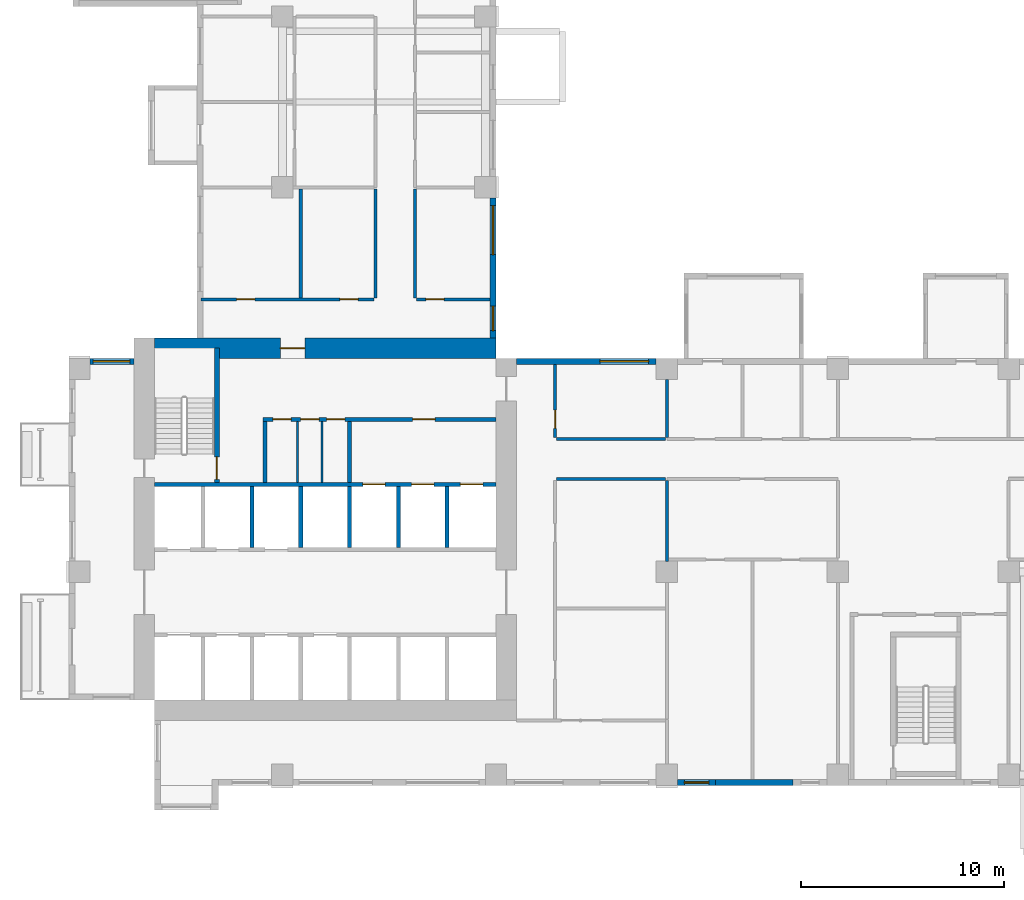
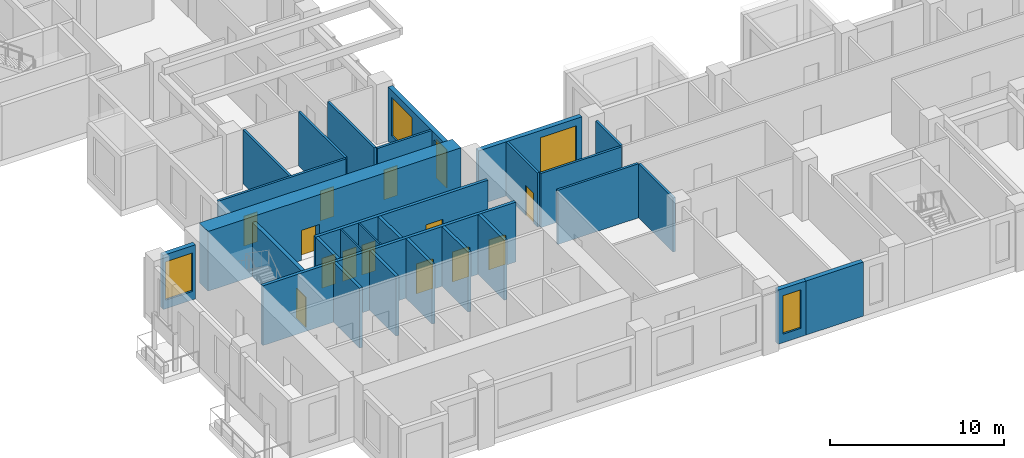
# One storey, part 3 of 14: 28 walls, 13 doors, 5 windows, 18 openings.
"""IFC4 building model written with IfcOpenShell, lengths in metres."""

from ifc_helpers import new_model, si_unit, direction, frame, frame_2d, origin, place, context, subcontext, project, spatial, rectangle, extrude, source, transform, mapped, material, layer, layer_set, type_object, element, fill, save


model = new_model("IFC4")

# Units and contexts
model_context = context("Model", 3, precision=1e-05, world=origin(), true_north=direction((0.0, 1.0)))
body_context = subcontext(model_context, "Body", "Model", "MODEL_VIEW")
ifc_project = project(units=[si_unit("LENGTHUNIT", "METRE"), si_unit("AREAUNIT", "SQUARE_METRE"), si_unit("VOLUMEUNIT", "CUBIC_METRE"), si_unit("PLANEANGLEUNIT", "RADIAN"), si_unit("MASSUNIT", "GRAM", prefix="KILO")], contexts=[model_context])

# Site, building, storey
site_placement = place(None, origin())
site = spatial("IfcSite", under=ifc_project, at=site_placement, CompositionType="ELEMENT")
building_placement = place(site_placement, origin())
building = spatial("IfcBuilding", under=site, at=building_placement, Name="Aurelian Terraces", CompositionType="ELEMENT")
storey_placement = place(building_placement, frame((0.0, 0.0, 141.3)))
storey = spatial("IfcBuildingStorey", under=building, at=storey_placement, Name="L31", CompositionType="ELEMENT", Elevation=141.3)

# Wall, opening, door
ifc_material_1 = material(Name="Concrete fc' 83 MPa", Category="concrete")
ifc_layer_1 = layer(ifc_material_1, 1.0)
ifc_layer_set_1 = layer_set([ifc_layer_1], Name="CORE WALL 1000 FC83")
wall_type_1 = type_object("IfcWallType", Name="CORE WALL 1000 FC83", PredefinedType="SHEAR", material=ifc_layer_set_1)
shared_shape_1 = source(origin(), body_context, "Body", "SweptSolid", [
    extrude(rectangle(XDim=16.8, YDim=1.0, at=frame_2d((8.4, 0.0))), origin(), (0.0, 0.0, 1.0), 4.2),
])
wall_1_placement = place(storey_placement, frame((4.2, 21.5, 0.0), z_axis=(0.0, 0.0, 1.0), x_axis=(1.0, 0.0, 0.0)))
wall_1 = element("IfcWall", 1, at=wall_1_placement, inside=storey, type_object=wall_type_1, Name="Core wall N L31", PredefinedType="SHEAR", context=body_context, shape_type="MappedRepresentation", body=[
    mapped(shared_shape_1, transform((0.0, 0.0, 0.0), scale=1.0)),
])
shared_shape_2 = source(origin(), body_context, "Body", "SweptSolid", [
    extrude(rectangle(XDim=1.2, YDim=2.1, at=frame_2d((0.6, 1.05))), frame((0.0, 0.51, 0.0), z_axis=(0.0, -1.0, 0.0), x_axis=(1.0, 0.0, 0.0)), (0.0, 0.0, 1.0), 1.02),
])
opening_1_placement = place(wall_1_placement, frame((6.2, 0.0, 0.0)))
opening_1 = element("IfcOpeningElement", 2, at=opening_1_placement, cuts=wall_1, Name="Opening 63423", PredefinedType="OPENING", context=body_context, shape_type="MappedRepresentation", body=[
    mapped(shared_shape_2, transform((0.0, 0.0, 0.0), scale=1.0)),
])
ifc_material_2 = material(Name="Steel door leaf", Category="steel")
door_type_1 = type_object("IfcDoorType", Name="Core fire door 1200x2100", OperationType="SINGLE_SWING_LEFT", PredefinedType="DOOR", material=ifc_material_2)
shared_shape_3 = source(origin(), body_context, "Body", "SweptSolid", [
    extrude(rectangle(XDim=1.2, YDim=2.1, at=frame_2d((0.6, 1.05))), frame((0.0, 0.025, 0.0), z_axis=(0.0, -1.0, 0.0), x_axis=(1.0, 0.0, 0.0)), (0.0, 0.0, 1.0), 0.05),
])
door_1_placement = place(opening_1_placement, origin())
door_1 = element("IfcDoor", 3, at=door_1_placement, inside=storey, type_object=door_type_1, Name="Core door 63423", OperationType="SINGLE_SWING_LEFT", OverallHeight=2.1, OverallWidth=1.2, PredefinedType="DOOR", context=body_context, shape_type="MappedRepresentation", body=[
    mapped(shared_shape_3, transform((0.0, 0.0, 0.0), scale=1.0)),
])
fill(opening_1, door_1)

# Wall
ifc_material_3 = material(Name="Concrete fc' 40 MPa", Category="concrete")
ifc_layer_2 = layer(ifc_material_3, 0.3)
ifc_layer_set_2 = layer_set([ifc_layer_2], Name="STAIR BAY WALL 300")
wall_type_2 = type_object("IfcWallType", Name="STAIR BAY WALL 300", PredefinedType="SOLIDWALL", material=ifc_layer_set_2)
shared_shape_4 = source(origin(), body_context, "Body", "SweptSolid", [
    extrude(rectangle(XDim=3.8, YDim=0.3, at=frame_2d((1.9, 0.0))), origin(), (0.0, 0.0, 1.0), 3.8),
])
wall_2_placement = place(storey_placement, frame((31.8, 0.15, 0.0), z_axis=(0.0, 0.0, 1.0), x_axis=(1.0, 0.0, 0.0)))
element("IfcWall", 4, at=wall_2_placement, inside=storey, type_object=wall_type_2, Name="Bearing wall L31 F01.5", PredefinedType="SOLIDWALL", context=body_context, shape_type="MappedRepresentation", body=[
    mapped(shared_shape_4, transform((0.0, 0.0, 0.0), scale=1.0)),
])

# Wall, opening, window
ifc_material_4 = material(Name="Terracotta rainscreen cladding", Category="masonry")
ifc_layer_3 = layer(ifc_material_4, 0.3)
ifc_layer_set_3 = layer_set([ifc_layer_3], Name="EW-300")
wall_type_3 = type_object("IfcWallType", Name="EW-300", PredefinedType="STANDARD", material=ifc_layer_set_3)
shared_shape_5 = source(origin(), body_context, "Body", "SweptSolid", [
    extrude(rectangle(XDim=6.875, YDim=0.3, at=frame_2d((3.4375, 0.0))), origin(), (0.0, 0.0, 1.0), 3.8),
])
wall_3_placement = place(storey_placement, frame((28.875, 20.85, 0.0), z_axis=(0.0, 0.0, 1.0), x_axis=(-1.0, 0.0, 0.0)))
wall_3 = element("IfcWall", 5, at=wall_3_placement, inside=storey, type_object=wall_type_3, Name="External wall L31 F07.19", PredefinedType="STANDARD", context=body_context, shape_type="MappedRepresentation", body=[
    mapped(shared_shape_5, transform((0.0, 0.0, 0.0), scale=1.0)),
])
shared_shape_6 = source(origin(), body_context, "Body", "SweptSolid", [
    extrude(rectangle(XDim=2.4, YDim=2.7, at=frame_2d((1.2, 1.35))), frame((0.0, 0.16, 0.0), z_axis=(0.0, -1.0, 0.0), x_axis=(1.0, 0.0, 0.0)), (0.0, 0.0, 1.0), 0.32),
])
opening_2_placement = place(wall_3_placement, frame((0.375, 0.0, 0.6)))
opening_2 = element("IfcOpeningElement", 6, at=opening_2_placement, cuts=wall_3, Name="Opening W2427", PredefinedType="OPENING", context=body_context, shape_type="MappedRepresentation", body=[
    mapped(shared_shape_6, transform((0.0, 0.0, 0.0), scale=1.0)),
])
ifc_material_5 = material(Name="Clear glazing", Category="glass")
window_type_1 = type_object("IfcWindowType", Name="W-2400x2700", PartitioningType="SINGLE_PANEL", PredefinedType="WINDOW", material=ifc_material_5)
shared_shape_7 = source(origin(), body_context, "Body", "SweptSolid", [
    extrude(rectangle(XDim=2.4, YDim=2.7, at=frame_2d((1.2, 1.35))), frame((0.0, 0.03, 0.0), z_axis=(0.0, -1.0, 0.0), x_axis=(1.0, 0.0, 0.0)), (0.0, 0.0, 1.0), 0.06),
])
window_1_placement = place(opening_2_placement, origin())
window_1 = element("IfcWindow", 7, at=window_1_placement, inside=storey, type_object=window_type_1, Name="Window L31 L31-F07-19-3", OverallHeight=2.7, OverallWidth=2.4, PartitioningType="SINGLE_PANEL", PredefinedType="WINDOW", context=body_context, shape_type="MappedRepresentation", body=[
    mapped(shared_shape_7, transform((0.0, 0.0, 0.0), scale=1.0)),
])
fill(opening_2, window_1)

# Wall, openings, windows
wall_4_placement = place(storey_placement, frame((20.85, 22.0, 0.0), z_axis=(0.0, 0.0, 1.0), x_axis=(0.0, 1.0, 0.0)))
wall_4 = element("IfcWall", 8, at=wall_4_placement, inside=storey, type_object=wall_type_3, Name="External wall L31 F08.20", PredefinedType="STANDARD", context=body_context, shape_type="MappedRepresentation", body=[
    mapped(shared_shape_5, transform((0.0, 0.0, 0.0), scale=1.0)),
])
shared_shape_8 = source(origin(), body_context, "Body", "SweptSolid", [
    extrude(rectangle(XDim=1.2, YDim=2.7, at=frame_2d((0.6, 1.35))), frame((0.0, 0.16, 0.0), z_axis=(0.0, -1.0, 0.0), x_axis=(1.0, 0.0, 0.0)), (0.0, 0.0, 1.0), 0.32),
])
opening_3_placement = place(wall_4_placement, frame((0.3625, 0.0, 0.6)))
opening_3 = element("IfcOpeningElement", 9, at=opening_3_placement, cuts=wall_4, Name="Opening W1227", PredefinedType="OPENING", context=body_context, shape_type="MappedRepresentation", body=[
    mapped(shared_shape_8, transform((0.0, 0.0, 0.0), scale=1.0)),
])
opening_4_placement = place(wall_4_placement, frame((4.1, 0.0, 0.6)))
opening_4 = element("IfcOpeningElement", 10, at=opening_4_placement, cuts=wall_4, Name="Opening W2427", PredefinedType="OPENING", context=body_context, shape_type="MappedRepresentation", body=[
    mapped(shared_shape_6, transform((0.0, 0.0, 0.0), scale=1.0)),
])
window_2_placement = place(opening_4_placement, origin())
window_2 = element("IfcWindow", 11, at=window_2_placement, inside=storey, type_object=window_type_1, Name="Window L31 L31-F08-20-1", OverallHeight=2.7, OverallWidth=2.4, PartitioningType="SINGLE_PANEL", PredefinedType="WINDOW", context=body_context, shape_type="MappedRepresentation", body=[
    mapped(shared_shape_7, transform((0.0, 0.0, 0.0), scale=1.0)),
])
fill(opening_4, window_2)
window_type_2 = type_object("IfcWindowType", Name="W-1200x2700", PartitioningType="SINGLE_PANEL", PredefinedType="WINDOW", material=ifc_material_5)
shared_shape_9 = source(origin(), body_context, "Body", "SweptSolid", [
    extrude(rectangle(XDim=1.2, YDim=2.7, at=frame_2d((0.6, 1.35))), frame((0.0, 0.03, 0.0), z_axis=(0.0, -1.0, 0.0), x_axis=(1.0, 0.0, 0.0)), (0.0, 0.0, 1.0), 0.06),
])
window_3_placement = place(opening_3_placement, origin())
window_3 = element("IfcWindow", 12, at=window_3_placement, inside=storey, type_object=window_type_2, Name="Window L31 L31-F08-20-0", OverallHeight=2.7, OverallWidth=1.2, PartitioningType="SINGLE_PANEL", PredefinedType="WINDOW", context=body_context, shape_type="MappedRepresentation", body=[
    mapped(shared_shape_9, transform((0.0, 0.0, 0.0), scale=1.0)),
])
fill(opening_3, window_3)

# Wall, opening, window
shared_shape_10 = source(origin(), body_context, "Body", "SweptSolid", [
    extrude(rectangle(XDim=2.15, YDim=0.3, at=frame_2d((1.075, 0.0))), origin(), (0.0, 0.0, 1.0), 3.8),
])
wall_5_placement = place(storey_placement, frame((3.2, 20.85, 0.0), z_axis=(0.0, 0.0, 1.0), x_axis=(-1.0, 0.0, 0.0)))
wall_5 = element("IfcWall", 13, at=wall_5_placement, inside=storey, type_object=wall_type_3, Name="External wall L31 F19.35", PredefinedType="STANDARD", context=body_context, shape_type="MappedRepresentation", body=[
    mapped(shared_shape_10, transform((0.0, 0.0, 0.0), scale=1.0)),
])
shared_shape_11 = source(origin(), body_context, "Body", "SweptSolid", [
    extrude(rectangle(XDim=1.8, YDim=2.7, at=frame_2d((0.9, 1.35))), frame((0.0, 0.16, 0.0), z_axis=(0.0, -1.0, 0.0), x_axis=(1.0, 0.0, 0.0)), (0.0, 0.0, 1.0), 0.32),
])
opening_5_placement = place(wall_5_placement, frame((0.2, 0.0, 0.6)))
opening_5 = element("IfcOpeningElement", 14, at=opening_5_placement, cuts=wall_5, Name="Opening W1827", PredefinedType="OPENING", context=body_context, shape_type="MappedRepresentation", body=[
    mapped(shared_shape_11, transform((0.0, 0.0, 0.0), scale=1.0)),
])
window_type_3 = type_object("IfcWindowType", Name="W-1800x2700", PartitioningType="SINGLE_PANEL", PredefinedType="WINDOW", material=ifc_material_5)
shared_shape_12 = source(origin(), body_context, "Body", "SweptSolid", [
    extrude(rectangle(XDim=1.8, YDim=2.7, at=frame_2d((0.9, 1.35))), frame((0.0, 0.03, 0.0), z_axis=(0.0, -1.0, 0.0), x_axis=(1.0, 0.0, 0.0)), (0.0, 0.0, 1.0), 0.06),
])
window_4_placement = place(opening_5_placement, origin())
window_4 = element("IfcWindow", 15, at=window_4_placement, inside=storey, type_object=window_type_3, Name="Window L31 L31-F19-35-0", OverallHeight=2.7, OverallWidth=1.8, PartitioningType="SINGLE_PANEL", PredefinedType="WINDOW", context=body_context, shape_type="MappedRepresentation", body=[
    mapped(shared_shape_12, transform((0.0, 0.0, 0.0), scale=1.0)),
])
fill(opening_5, window_4)

shared_shape_13 = source(origin(), body_context, "Body", "SweptSolid", [
    extrude(rectangle(XDim=1.875, YDim=0.3, at=frame_2d((0.9375, 0.0))), origin(), (0.0, 0.0, 1.0), 3.8),
])
wall_6_placement = place(storey_placement, frame((29.925, 0.15, 0.0), z_axis=(0.0, 0.0, 1.0), x_axis=(1.0, 0.0, 0.0)))
wall_6 = element("IfcWall", 16, at=wall_6_placement, inside=storey, type_object=wall_type_3, Name="External wall L31 F01.5", PredefinedType="STANDARD", context=body_context, shape_type="MappedRepresentation", body=[
    mapped(shared_shape_13, transform((0.0, 0.0, 0.0), scale=1.0)),
])
opening_6_placement = place(wall_6_placement, frame((0.3375, 0.0, 0.6)))
opening_6 = element("IfcOpeningElement", 17, at=opening_6_placement, cuts=wall_6, Name="Opening W1227", PredefinedType="OPENING", context=body_context, shape_type="MappedRepresentation", body=[
    mapped(shared_shape_8, transform((0.0, 0.0, 0.0), scale=1.0)),
])
window_5_placement = place(opening_6_placement, origin())
window_5 = element("IfcWindow", 18, at=window_5_placement, inside=storey, type_object=window_type_2, Name="Window L31 L31-F01-05-P0", OverallHeight=2.7, OverallWidth=1.2, PartitioningType="SINGLE_PANEL", PredefinedType="WINDOW", context=body_context, shape_type="MappedRepresentation", body=[
    mapped(shared_shape_9, transform((0.0, 0.0, 0.0), scale=1.0)),
])
fill(opening_6, window_5)

# Walls
ifc_layer_4 = layer(ifc_material_3, 0.2)
ifc_layer_set_4 = layer_set([ifc_layer_4], Name="Lift shaft wall 200")
wall_type_4 = type_object("IfcWallType", Name="Lift shaft wall 200", PredefinedType="SOLIDWALL", material=ifc_layer_set_4)
shared_shape_14 = source(origin(), body_context, "Body", "SweptSolid", [
    extrude(rectangle(XDim=3.0, YDim=0.2, at=frame_2d((1.5, 0.0))), origin(), (0.0, 0.0, 1.0), 4.2),
])
for number, where, z_axis, x_axis, name in (
    (19, (9.0, 11.7, 0.0), (0.0, 0.0, 1.0), (0.0, 1.0, 0.0), "L31 core wall CD-B2"),
    (20, (11.4, 11.7, 0.0), (0.0, 0.0, 1.0), (0.0, 1.0, 0.0), "L31 core wall CD-B3"),
    (21, (13.8, 11.7, 0.0), (0.0, 0.0, 1.0), (0.0, 1.0, 0.0), "L31 core wall CD-B4"),
    (22, (16.2, 11.7, 0.0), (0.0, 0.0, 1.0), (0.0, 1.0, 0.0), "L31 core wall CD-B5"),
    (23, (18.6, 11.7, 0.0), (0.0, 0.0, 1.0), (0.0, 1.0, 0.0), "L31 core wall CD-B6"),
):
    element("IfcWall", number, at=place(storey_placement, frame(where, z_axis=z_axis, x_axis=x_axis)), inside=storey, type_object=wall_type_4, Name=name, PredefinedType="SOLIDWALL", context=body_context, shape_type="MappedRepresentation", body=[
        mapped(shared_shape_14, transform((0.0, 0.0, 0.0), scale=1.0)),
    ])

# Wall, openings, doors
shared_shape_15 = source(origin(), body_context, "Body", "SweptSolid", [
    extrude(rectangle(XDim=16.8, YDim=0.2, at=frame_2d((8.4, 0.0))), origin(), (0.0, 0.0, 1.0), 4.2),
])
wall_7_placement = place(storey_placement, frame((4.2, 14.8, 0.0), z_axis=(0.0, 0.0, 1.0), x_axis=(1.0, 0.0, 0.0)))
wall_7 = element("IfcWall", 24, at=wall_7_placement, inside=storey, type_object=wall_type_4, Name="L31 core wall CF-BB1", PredefinedType="SOLIDWALL", context=body_context, shape_type="MappedRepresentation", body=[
    mapped(shared_shape_15, transform((0.0, 0.0, 0.0), scale=1.0)),
])
shared_shape_16 = source(origin(), body_context, "Body", "SweptSolid", [
    extrude(rectangle(XDim=1.1, YDim=2.1, at=frame_2d((0.55, 1.05))), frame((0.0, 0.11, 0.0), z_axis=(0.0, -1.0, 0.0), x_axis=(1.0, 0.0, 0.0)), (0.0, 0.0, 1.0), 0.22),
])
opening_7_placement = place(wall_7_placement, frame((10.25, 0.0, 0.0)))
opening_7 = element("IfcOpeningElement", 25, at=opening_7_placement, cuts=wall_7, Name="Opening 63407", PredefinedType="OPENING", context=body_context, shape_type="MappedRepresentation", body=[
    mapped(shared_shape_16, transform((0.0, 0.0, 0.0), scale=1.0)),
])
opening_8_placement = place(wall_7_placement, frame((12.65, 0.0, 0.0)))
opening_8 = element("IfcOpeningElement", 26, at=opening_8_placement, cuts=wall_7, Name="Opening 63408", PredefinedType="OPENING", context=body_context, shape_type="MappedRepresentation", body=[
    mapped(shared_shape_16, transform((0.0, 0.0, 0.0), scale=1.0)),
])
opening_9_placement = place(wall_7_placement, frame((15.05, 0.0, 0.0)))
opening_9 = element("IfcOpeningElement", 27, at=opening_9_placement, cuts=wall_7, Name="Opening 63409", PredefinedType="OPENING", context=body_context, shape_type="MappedRepresentation", body=[
    mapped(shared_shape_16, transform((0.0, 0.0, 0.0), scale=1.0)),
])
ifc_material_6 = material(Name="Stainless steel", Category="steel")
door_type_2 = type_object("IfcDoorType", Name="Lift landing door 1100x2100", OperationType="SLIDING_TO_LEFT", PredefinedType="DOOR", material=ifc_material_6)
shared_shape_17 = source(origin(), body_context, "Body", "SweptSolid", [
    extrude(rectangle(XDim=1.1, YDim=2.1, at=frame_2d((0.55, 1.05))), frame((0.0, 0.025, 0.0), z_axis=(0.0, -1.0, 0.0), x_axis=(1.0, 0.0, 0.0)), (0.0, 0.0, 1.0), 0.05),
])
door_2_placement = place(opening_7_placement, origin())
door_2 = element("IfcDoor", 28, at=door_2_placement, inside=storey, type_object=door_type_2, Name="Lift landing door F1 L31", OperationType="SLIDING_TO_LEFT", OverallHeight=2.1, OverallWidth=1.1, PredefinedType="DOOR", context=body_context, shape_type="MappedRepresentation", body=[
    mapped(shared_shape_17, transform((0.0, 0.0, 0.0), scale=1.0)),
])
fill(opening_7, door_2)
door_3_placement = place(opening_8_placement, origin())
door_3 = element("IfcDoor", 29, at=door_3_placement, inside=storey, type_object=door_type_2, Name="Lift landing door F2 L31", OperationType="SLIDING_TO_LEFT", OverallHeight=2.1, OverallWidth=1.1, PredefinedType="DOOR", context=body_context, shape_type="MappedRepresentation", body=[
    mapped(shared_shape_17, transform((0.0, 0.0, 0.0), scale=1.0)),
])
fill(opening_8, door_3)
door_4_placement = place(opening_9_placement, origin())
door_4 = element("IfcDoor", 30, at=door_4_placement, inside=storey, type_object=door_type_2, Name="Lift landing door F3 L31", OperationType="SLIDING_TO_LEFT", OverallHeight=2.1, OverallWidth=1.1, PredefinedType="DOOR", context=body_context, shape_type="MappedRepresentation", body=[
    mapped(shared_shape_17, transform((0.0, 0.0, 0.0), scale=1.0)),
])
fill(opening_9, door_4)

# Walls
ifc_material_7 = material(Name="Gypsum board on steel studs", Category="steel")
ifc_layer_5 = layer(ifc_material_7, 0.2)
ifc_layer_set_5 = layer_set([ifc_layer_5], Name="Core partition 200")
wall_type_5 = type_object("IfcWallType", Name="Core partition 200", PredefinedType="PARTITIONING", material=ifc_layer_set_5)
shared_shape_18 = source(origin(), body_context, "Body", "SweptSolid", [
    extrude(rectangle(XDim=3.0, YDim=0.2, at=frame_2d((1.5, 0.0))), origin(), (0.0, 0.0, 1.0), 3.8),
])
for number, where, z_axis, x_axis, name in (
    (31, (9.65, 14.9, 0.0), (0.0, 0.0, 1.0), (0.0, 1.0, 0.0), "L31 core wall CP-VEST"),
    (32, (13.8, 14.9, 0.0), (0.0, 0.0, 1.0), (0.0, 1.0, 0.0), "L31 core wall CP-FFL"),
):
    element("IfcWall", number, at=place(storey_placement, frame(where, z_axis=z_axis, x_axis=x_axis)), inside=storey, type_object=wall_type_5, Name=name, PredefinedType="PARTITIONING", context=body_context, shape_type="MappedRepresentation", body=[
        mapped(shared_shape_18, transform((0.0, 0.0, 0.0), scale=1.0)),
    ])
ifc_layer_6 = layer(ifc_material_7, 0.1)
ifc_layer_set_6 = layer_set([ifc_layer_6], Name="Core partition 100")
wall_type_6 = type_object("IfcWallType", Name="Core partition 100", PredefinedType="PARTITIONING", material=ifc_layer_set_6)
shared_shape_19 = source(origin(), body_context, "Body", "SweptSolid", [
    extrude(rectangle(XDim=3.0, YDim=0.1, at=frame_2d((1.5, 0.0))), origin(), (0.0, 0.0, 1.0), 3.8),
])
for number, where, z_axis, x_axis, name in (
    (33, (11.25, 14.9, 0.0), (0.0, 0.0, 1.0), (0.0, 1.0, 0.0), "L31 core wall CP-SV1"),
    (34, (12.45, 14.9, 0.0), (0.0, 0.0, 1.0), (0.0, 1.0, 0.0), "L31 core wall CP-SV2"),
):
    element("IfcWall", number, at=place(storey_placement, frame(where, z_axis=z_axis, x_axis=x_axis)), inside=storey, type_object=wall_type_6, Name=name, PredefinedType="PARTITIONING", context=body_context, shape_type="MappedRepresentation", body=[
        mapped(shared_shape_19, transform((0.0, 0.0, 0.0), scale=1.0)),
    ])

# Wall, opening, door
ifc_layer_7 = layer(ifc_material_3, 0.25)
ifc_layer_set_7 = layer_set([ifc_layer_7], Name="Stair enclosure wall 250")
wall_type_7 = type_object("IfcWallType", Name="Stair enclosure wall 250", PredefinedType="SOLIDWALL", material=ifc_layer_set_7)
shared_shape_20 = source(origin(), body_context, "Body", "SweptSolid", [
    extrude(rectangle(XDim=6.6, YDim=0.25, at=frame_2d((3.3, 0.0))), origin(), (0.0, 0.0, 1.0), 3.8),
])
wall_8_placement = place(storey_placement, frame((7.275, 14.9, 0.0), z_axis=(0.0, 0.0, 1.0), x_axis=(0.0, 1.0, 0.0)))
wall_8 = element("IfcWall", 35, at=wall_8_placement, inside=storey, type_object=wall_type_7, Name="L31 core wall ST-S1-E", PredefinedType="SOLIDWALL", context=body_context, shape_type="MappedRepresentation", body=[
    mapped(shared_shape_20, transform((0.0, 0.0, 0.0), scale=1.0)),
])
shared_shape_21 = source(origin(), body_context, "Body", "SweptSolid", [
    extrude(rectangle(XDim=1.1, YDim=2.1, at=frame_2d((0.55, 1.05))), frame((0.0, 0.135, 0.0), z_axis=(0.0, -1.0, 0.0), x_axis=(1.0, 0.0, 0.0)), (0.0, 0.0, 1.0), 0.27),
])
opening_10_placement = place(wall_8_placement, frame((0.15, 0.0, 0.0)))
opening_10 = element("IfcOpeningElement", 36, at=opening_10_placement, cuts=wall_8, Name="Opening 63410", PredefinedType="OPENING", context=body_context, shape_type="MappedRepresentation", body=[
    mapped(shared_shape_21, transform((0.0, 0.0, 0.0), scale=1.0)),
])
door_type_3 = type_object("IfcDoorType", Name="Core fire door 1100x2100", OperationType="SINGLE_SWING_LEFT", PredefinedType="DOOR", material=ifc_material_2)
door_5_placement = place(opening_10_placement, origin())
door_5 = element("IfcDoor", 37, at=door_5_placement, inside=storey, type_object=door_type_3, Name="Stair door 63410", OperationType="SINGLE_SWING_LEFT", OverallHeight=2.1, OverallWidth=1.1, PredefinedType="DOOR", context=body_context, shape_type="MappedRepresentation", body=[
    mapped(shared_shape_17, transform((0.0, 0.0, 0.0), scale=1.0)),
])
fill(opening_10, door_5)

# Wall, openings, doors
shared_shape_22 = source(origin(), body_context, "Body", "SweptSolid", [
    extrude(rectangle(XDim=11.45, YDim=0.2, at=frame_2d((5.725, 0.0))), origin(), (0.0, 0.0, 1.0), 3.8),
])
wall_9_placement = place(storey_placement, frame((9.55, 18.0, 0.0), z_axis=(0.0, 0.0, 1.0), x_axis=(1.0, 0.0, 0.0)))
wall_9 = element("IfcWall", 38, at=wall_9_placement, inside=storey, type_object=wall_type_5, Name="L31 core wall CP-NORTH", PredefinedType="PARTITIONING", context=body_context, shape_type="MappedRepresentation", body=[
    mapped(shared_shape_22, transform((0.0, 0.0, 0.0), scale=1.0)),
])
shared_shape_23 = source(origin(), body_context, "Body", "SweptSolid", [
    extrude(rectangle(XDim=0.9, YDim=2.1, at=frame_2d((0.45, 1.05))), frame((0.0, 0.11, 0.0), z_axis=(0.0, -1.0, 0.0), x_axis=(1.0, 0.0, 0.0)), (0.0, 0.0, 1.0), 0.22),
])
opening_11_placement = place(wall_9_placement, frame((0.475, 0.0, 0.0)))
opening_11 = element("IfcOpeningElement", 39, at=opening_11_placement, cuts=wall_9, Name="Opening 63411", PredefinedType="OPENING", context=body_context, shape_type="MappedRepresentation", body=[
    mapped(shared_shape_23, transform((0.0, 0.0, 0.0), scale=1.0)),
])
opening_12_placement = place(wall_9_placement, frame((1.85, 0.0, 0.0)))
opening_12 = element("IfcOpeningElement", 40, at=opening_12_placement, cuts=wall_9, Name="Opening 63412", PredefinedType="OPENING", context=body_context, shape_type="MappedRepresentation", body=[
    mapped(shared_shape_23, transform((0.0, 0.0, 0.0), scale=1.0)),
])
opening_13_placement = place(wall_9_placement, frame((3.125, 0.0, 0.0)))
opening_13 = element("IfcOpeningElement", 41, at=opening_13_placement, cuts=wall_9, Name="Opening 63413", PredefinedType="OPENING", context=body_context, shape_type="MappedRepresentation", body=[
    mapped(shared_shape_23, transform((0.0, 0.0, 0.0), scale=1.0)),
])
opening_14_placement = place(wall_9_placement, frame((7.35, 0.0, 0.0)))
opening_14 = element("IfcOpeningElement", 42, at=opening_14_placement, cuts=wall_9, Name="Opening 63414", PredefinedType="OPENING", context=body_context, shape_type="MappedRepresentation", body=[
    mapped(shared_shape_16, transform((0.0, 0.0, 0.0), scale=1.0)),
])
door_type_4 = type_object("IfcDoorType", Name="Core service door 900x2100 right", OperationType="SINGLE_SWING_RIGHT", PredefinedType="DOOR", material=ifc_material_2)
shared_shape_24 = source(origin(), body_context, "Body", "SweptSolid", [
    extrude(rectangle(XDim=0.9, YDim=2.1, at=frame_2d((0.45, 1.05))), frame((0.0, 0.025, 0.0), z_axis=(0.0, -1.0, 0.0), x_axis=(1.0, 0.0, 0.0)), (0.0, 0.0, 1.0), 0.05),
])
door_6_placement = place(opening_11_placement, origin())
door_6 = element("IfcDoor", 43, at=door_6_placement, inside=storey, type_object=door_type_4, Name="Room door 63411", OperationType="SINGLE_SWING_RIGHT", OverallHeight=2.1, OverallWidth=0.9, PredefinedType="DOOR", context=body_context, shape_type="MappedRepresentation", body=[
    mapped(shared_shape_24, transform((0.0, 0.0, 0.0), scale=1.0)),
])
fill(opening_11, door_6)
door_type_5 = type_object("IfcDoorType", Name="Core riser door 900x2100", OperationType="SINGLE_SWING_LEFT", PredefinedType="DOOR", material=ifc_material_2)
door_7_placement = place(opening_12_placement, origin())
door_7 = element("IfcDoor", 44, at=door_7_placement, inside=storey, type_object=door_type_5, Name="Room door 63412", OperationType="SINGLE_SWING_LEFT", OverallHeight=2.1, OverallWidth=0.9, PredefinedType="DOOR", context=body_context, shape_type="MappedRepresentation", body=[
    mapped(shared_shape_24, transform((0.0, 0.0, 0.0), scale=1.0)),
])
fill(opening_12, door_7)
door_8_placement = place(opening_13_placement, origin())
door_8 = element("IfcDoor", 45, at=door_8_placement, inside=storey, type_object=door_type_4, Name="Room door 63413", OperationType="SINGLE_SWING_RIGHT", OverallHeight=2.1, OverallWidth=0.9, PredefinedType="DOOR", context=body_context, shape_type="MappedRepresentation", body=[
    mapped(shared_shape_24, transform((0.0, 0.0, 0.0), scale=1.0)),
])
fill(opening_13, door_8)
door_9_placement = place(opening_14_placement, origin())
door_9 = element("IfcDoor", 46, at=door_9_placement, inside=storey, type_object=door_type_3, Name="Ff lobby door 63414", OperationType="SINGLE_SWING_LEFT", OverallHeight=2.1, OverallWidth=1.1, PredefinedType="DOOR", context=body_context, shape_type="MappedRepresentation", body=[
    mapped(shared_shape_17, transform((0.0, 0.0, 0.0), scale=1.0)),
])
fill(opening_14, door_9)

# Wall, opening, door
ifc_layer_8 = layer(ifc_material_7, 0.15)
ifc_layer_set_8 = layer_set([ifc_layer_8], Name="Partition 150")
wall_type_8 = type_object("IfcWallType", Name="Partition 150", PredefinedType="PARTITIONING", material=ifc_layer_set_8)
shared_shape_25 = source(origin(), body_context, "Body", "SweptSolid", [
    extrude(rectangle(XDim=3.6, YDim=0.15, at=frame_2d((1.8, 0.0))), origin(), (0.0, 0.0, 1.0), 3.8),
])
wall_10_placement = place(storey_placement, frame((23.9, 20.7, 0.0), z_axis=(0.0, 0.0, 1.0), x_axis=(0.0, -1.0, 0.0)))
wall_10 = element("IfcWall", 47, at=wall_10_placement, inside=storey, type_object=wall_type_8, Name="Partition", PredefinedType="PARTITIONING", context=body_context, shape_type="MappedRepresentation", body=[
    mapped(shared_shape_25, transform((0.0, 0.0, 0.0), scale=1.0)),
])
shared_shape_26 = source(origin(), body_context, "Body", "SweptSolid", [
    extrude(rectangle(XDim=0.9, YDim=2.1, at=frame_2d((0.45, 1.05))), frame((0.0, 0.085, 0.0), z_axis=(0.0, -1.0, 0.0), x_axis=(1.0, 0.0, 0.0)), (0.0, 0.0, 1.0), 0.17),
])
opening_15_placement = place(wall_10_placement, frame((2.25, 0.0, 0.0)))
opening_15 = element("IfcOpeningElement", 48, at=opening_15_placement, cuts=wall_10, Name="Opening 731003", PredefinedType="OPENING", context=body_context, shape_type="MappedRepresentation", body=[
    mapped(shared_shape_26, transform((0.0, 0.0, 0.0), scale=1.0)),
])
ifc_material_8 = material(Name="Timber door leaf", Category="wood")
door_type_6 = type_object("IfcDoorType", Name="Room door 900x2100 left", OperationType="SINGLE_SWING_LEFT", PredefinedType="DOOR", material=ifc_material_8)
door_10_placement = place(opening_15_placement, origin())
door_10 = element("IfcDoor", 49, at=door_10_placement, inside=storey, type_object=door_type_6, Name="Door 731003", OperationType="SINGLE_SWING_LEFT", OverallHeight=2.1, OverallWidth=0.9, PredefinedType="DOOR", context=body_context, shape_type="MappedRepresentation", body=[
    mapped(shared_shape_24, transform((0.0, 0.0, 0.0), scale=1.0)),
])
fill(opening_15, door_10)

wall_11_placement = place(storey_placement, frame((17.1, 23.9, 0.0), z_axis=(0.0, 0.0, 1.0), x_axis=(1.0, 0.0, 0.0)))
wall_11 = element("IfcWall", 50, at=wall_11_placement, inside=storey, type_object=wall_type_8, Name="Partition", PredefinedType="PARTITIONING", context=body_context, shape_type="MappedRepresentation", body=[
    mapped(shared_shape_25, transform((0.0, 0.0, 0.0), scale=1.0)),
])
opening_16_placement = place(wall_11_placement, frame((0.45, 0.0, 0.0)))
opening_16 = element("IfcOpeningElement", 51, at=opening_16_placement, cuts=wall_11, Name="Opening 731026", PredefinedType="OPENING", context=body_context, shape_type="MappedRepresentation", body=[
    mapped(shared_shape_26, transform((0.0, 0.0, 0.0), scale=1.0)),
])
door_11_placement = place(opening_16_placement, origin())
door_11 = element("IfcDoor", 52, at=door_11_placement, inside=storey, type_object=door_type_6, Name="Door 731026", OperationType="SINGLE_SWING_LEFT", OverallHeight=2.1, OverallWidth=0.9, PredefinedType="DOOR", context=body_context, shape_type="MappedRepresentation", body=[
    mapped(shared_shape_24, transform((0.0, 0.0, 0.0), scale=1.0)),
])
fill(opening_16, door_11)

# Walls
shared_shape_27 = source(origin(), body_context, "Body", "SweptSolid", [
    extrude(rectangle(XDim=3.976, YDim=0.15, at=frame_2d((1.988, 0.0))), origin(), (0.0, 0.0, 1.0), 3.8),
])
wall_12_placement = place(storey_placement, frame((29.4, 11.024, 0.0), z_axis=(0.0, 0.0, 1.0), x_axis=(0.0, 1.0, 0.0)))
element("IfcWall", 53, at=wall_12_placement, inside=storey, type_object=wall_type_8, Name="Partition", PredefinedType="PARTITIONING", context=body_context, shape_type="MappedRepresentation", body=[
    mapped(shared_shape_27, transform((0.0, 0.0, 0.0), scale=1.0)),
])
shared_shape_28 = source(origin(), body_context, "Body", "SweptSolid", [
    extrude(rectangle(XDim=2.851, YDim=0.15, at=frame_2d((1.4255, 0.0))), origin(), (0.0, 0.0, 1.0), 3.8),
])
wall_13_placement = place(storey_placement, frame((29.4, 17.1, 0.0), z_axis=(0.0, 0.0, 1.0), x_axis=(0.0, 1.0, 0.0)))
element("IfcWall", 54, at=wall_13_placement, inside=storey, type_object=wall_type_8, Name="Partition", PredefinedType="PARTITIONING", context=body_context, shape_type="MappedRepresentation", body=[
    mapped(shared_shape_28, transform((0.0, 0.0, 0.0), scale=1.0)),
])

# Wall, openings, doors
shared_shape_29 = source(origin(), body_context, "Body", "SweptSolid", [
    extrude(rectangle(XDim=8.495, YDim=0.15, at=frame_2d((4.2475, 0.0))), origin(), (0.0, 0.0, 1.0), 3.8),
])
wall_14_placement = place(storey_placement, frame((6.505, 23.9, 0.0), z_axis=(0.0, 0.0, 1.0), x_axis=(1.0, 0.0, 0.0)))
wall_14 = element("IfcWall", 55, at=wall_14_placement, inside=storey, type_object=wall_type_8, Name="Partition", PredefinedType="PARTITIONING", context=body_context, shape_type="MappedRepresentation", body=[
    mapped(shared_shape_29, transform((0.0, 0.0, 0.0), scale=1.0)),
])
opening_17_placement = place(wall_14_placement, frame((1.745, 0.0, 0.0)))
opening_17 = element("IfcOpeningElement", 56, at=opening_17_placement, cuts=wall_14, Name="Opening 731024", PredefinedType="OPENING", context=body_context, shape_type="MappedRepresentation", body=[
    mapped(shared_shape_26, transform((0.0, 0.0, 0.0), scale=1.0)),
])
opening_18_placement = place(wall_14_placement, frame((6.82, 0.0, 0.0)))
opening_18 = element("IfcOpeningElement", 57, at=opening_18_placement, cuts=wall_14, Name="Opening 731025", PredefinedType="OPENING", context=body_context, shape_type="MappedRepresentation", body=[
    mapped(shared_shape_26, transform((0.0, 0.0, 0.0), scale=1.0)),
])
door_12_placement = place(opening_17_placement, origin())
door_12 = element("IfcDoor", 58, at=door_12_placement, inside=storey, type_object=door_type_6, Name="Door 731024", OperationType="SINGLE_SWING_LEFT", OverallHeight=2.1, OverallWidth=0.9, PredefinedType="DOOR", context=body_context, shape_type="MappedRepresentation", body=[
    mapped(shared_shape_24, transform((0.0, 0.0, 0.0), scale=1.0)),
])
fill(opening_17, door_12)
door_type_7 = type_object("IfcDoorType", Name="Room door 900x2100 right", OperationType="SINGLE_SWING_RIGHT", PredefinedType="DOOR", material=ifc_material_8)
door_13_placement = place(opening_18_placement, origin())
door_13 = element("IfcDoor", 59, at=door_13_placement, inside=storey, type_object=door_type_7, Name="Door 731025", OperationType="SINGLE_SWING_RIGHT", OverallHeight=2.1, OverallWidth=0.9, PredefinedType="DOOR", context=body_context, shape_type="MappedRepresentation", body=[
    mapped(shared_shape_24, transform((0.0, 0.0, 0.0), scale=1.0)),
])
fill(opening_18, door_13)

# Walls
ifc_layer_9 = layer(ifc_material_7, 0.15)
ifc_layer_set_9 = layer_set([ifc_layer_9], Name="Fire partition 150")
wall_type_9 = type_object("IfcWallType", Name="Fire partition 150", PredefinedType="PARTITIONING", material=ifc_layer_set_9)
shared_shape_30 = source(origin(), body_context, "Body", "SweptSolid", [
    extrude(rectangle(XDim=5.35, YDim=0.15, at=frame_2d((2.675, 0.0))), origin(), (0.0, 0.0, 1.0), 3.8),
])
for number, where, z_axis, x_axis, name in (
    (60, (29.325, 15.075, 0.0), (0.0, 0.0, 1.0), (-1.0, 0.0, 0.0), "Corridor wall"),
    (61, (23.975, 17.025, 0.0), (0.0, 0.0, 1.0), (1.0, 0.0, 0.0), "Corridor wall"),
):
    element("IfcWall", number, at=place(storey_placement, frame(where, z_axis=z_axis, x_axis=x_axis)), inside=storey, type_object=wall_type_9, Name=name, PredefinedType="PARTITIONING", context=body_context, shape_type="MappedRepresentation", body=[
        mapped(shared_shape_30, transform((0.0, 0.0, 0.0), scale=1.0)),
    ])
wall_15_placement = place(storey_placement, frame((11.4, 23.975, 0.0), z_axis=(0.0, 0.0, 1.0), x_axis=(0.0, 1.0, 0.0)))
element("IfcWall", 62, at=wall_15_placement, inside=storey, type_object=wall_type_8, Name="Partition", PredefinedType="PARTITIONING", context=body_context, shape_type="MappedRepresentation", body=[
    mapped(shared_shape_30, transform((0.0, 0.0, 0.0), scale=1.0)),
])
for number, where, z_axis, x_axis, name in (
    (63, (15.075, 23.975, 0.0), (0.0, 0.0, 1.0), (0.0, 1.0, 0.0), "Corridor wall"),
    (64, (17.025, 29.325, 0.0), (0.0, 0.0, 1.0), (0.0, -1.0, 0.0), "Corridor wall"),
):
    element("IfcWall", number, at=place(storey_placement, frame(where, z_axis=z_axis, x_axis=x_axis)), inside=storey, type_object=wall_type_9, Name=name, PredefinedType="PARTITIONING", context=body_context, shape_type="MappedRepresentation", body=[
        mapped(shared_shape_30, transform((0.0, 0.0, 0.0), scale=1.0)),
    ])

save(model, "model.ifc")
